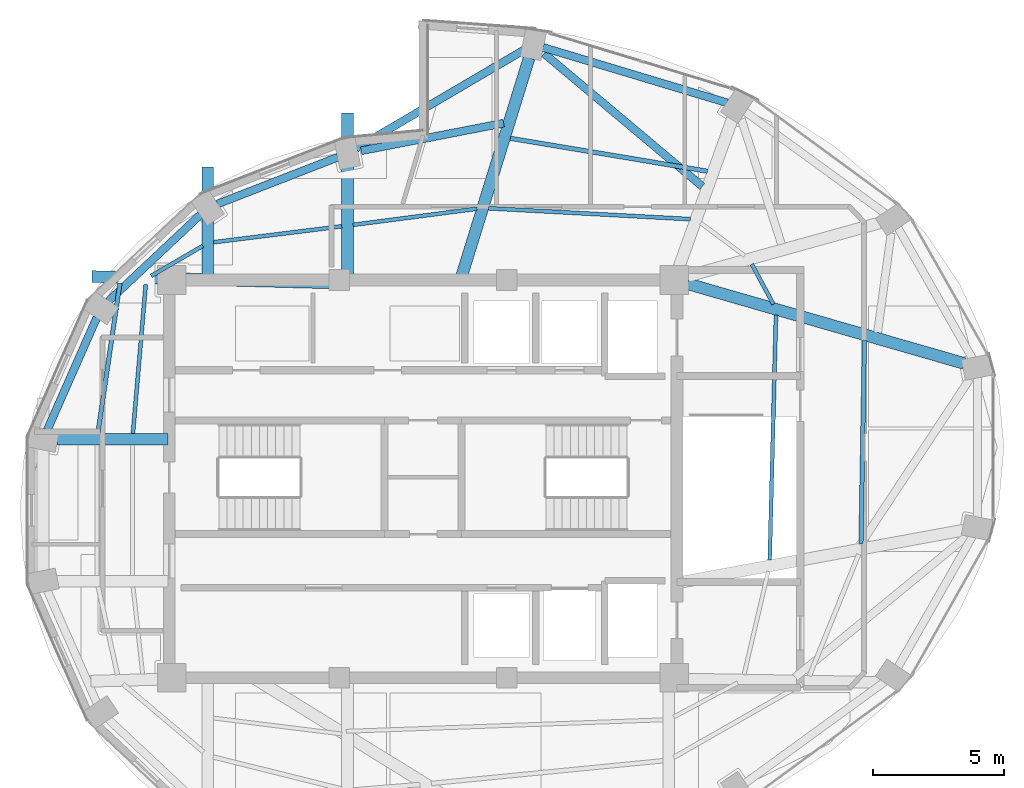
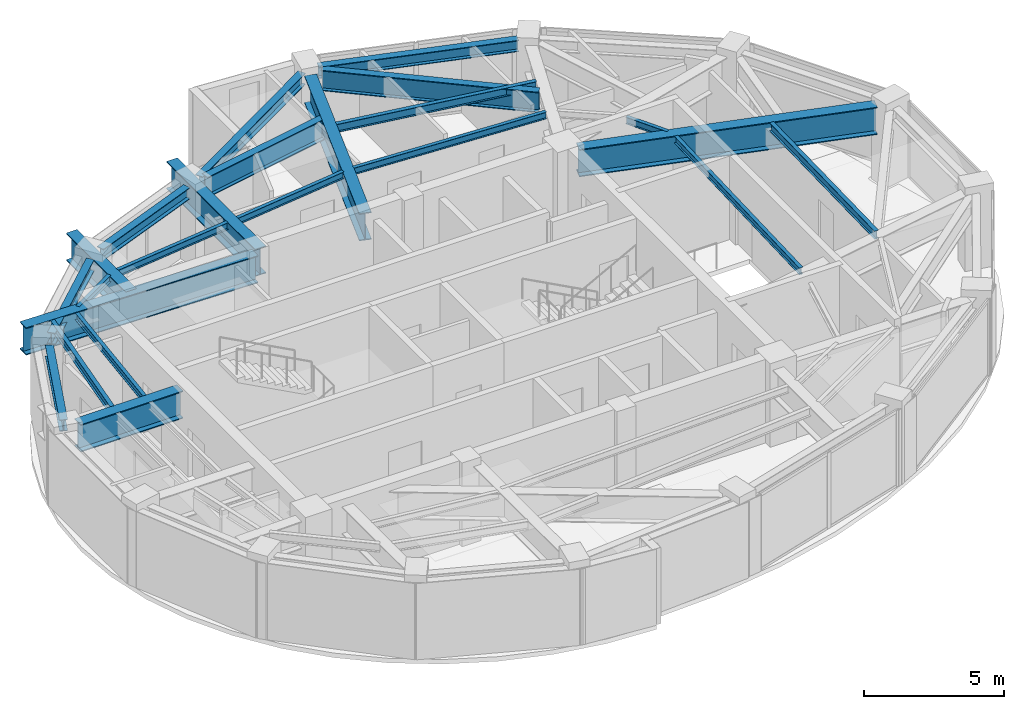
# One storey, part 4 of 13: 23 beams.
"""IFC4 building model written with IfcOpenShell, lengths in metres."""

from ifc_helpers import new_model, si_unit, direction, frame, origin, origin_2d, place, context, subcontext, project, spatial, i_section, extrude, material, material_profile, profile_set, type_object, element, save


model = new_model("IFC4")

# Units and contexts
model_context = context("Model", 3, precision=1e-05, world=origin(), true_north=direction((0.0, 1.0)))
body_context = subcontext(model_context, "Body", "Model", "MODEL_VIEW")
ifc_project = project(units=[si_unit("LENGTHUNIT", "METRE"), si_unit("AREAUNIT", "SQUARE_METRE"), si_unit("VOLUMEUNIT", "CUBIC_METRE"), si_unit("PLANEANGLEUNIT", "RADIAN"), si_unit("MASSUNIT", "GRAM", prefix="KILO")], contexts=[model_context])

# Site, building, storey
site_placement = place(None, origin())
site = spatial("IfcSite", under=ifc_project, at=site_placement, CompositionType="ELEMENT")
building_placement = place(site_placement, origin())
building = spatial("IfcBuilding", under=site, at=building_placement, Name="Lazwardi Medical Tower", CompositionType="ELEMENT")
storey_placement = place(building_placement, frame((0.0, 0.0, 298.800048828125)))
storey = spatial("IfcBuildingStorey", under=building, at=storey_placement, Name="L78", CompositionType="ELEMENT", Elevation=298.800048828125)

# Beams
ifc_material_1 = material(Name="Steel S460", Category="steel")
ifc_material_profile_1 = material_profile(ifc_material_1, i_section(OverallWidth=0.300048828125, OverallDepth=0.89990234375, WebThickness=0.0185546875, FlangeThickness=0.034912109375, at=origin_2d()), Name="HEB 900")
ifc_profile_set_1 = profile_set([ifc_material_profile_1], Name="Steel S460")
beam_type_1 = type_object("IfcBeamType", Name="BM-HB-01", PredefinedType="BEAM", material=ifc_profile_set_1)
beam_1_placement = place(storey_placement, frame((46.67041015625, 39.17578125, 2.8779296875), z_axis=(-0.76575480751, 0.643132626116, 0.0), x_axis=(-0.643132626116, -0.76575480751, 0.0)))
element("IfcBeam", 1, at=beam_1_placement, inside=storey, type_object=beam_type_1, Name="Transfer girder tie HB-01 M07 L78", PredefinedType="BEAM", context=body_context, shape_type="SweptSolid", body=[
    extrude(i_section(OverallWidth=0.300048828125, OverallDepth=0.89990234375, WebThickness=0.0185546875, FlangeThickness=0.034912109375, at=origin_2d()), origin(), (0.0, 0.0, 1.0), 7.896240234375),
])
beam_2_placement = place(storey_placement, frame((39.0810546875, 41.591064453125, 2.8779296875), z_axis=(-0.981690707448, -0.190481901791, 0.0), x_axis=(0.190481901791, -0.981690707448, 0.0)))
element("IfcBeam", 2, at=beam_2_placement, inside=storey, type_object=beam_type_1, Name="Transfer girder tie HB-01 M08 L78", PredefinedType="BEAM", context=body_context, shape_type="SweptSolid", body=[
    extrude(i_section(OverallWidth=0.300048828125, OverallDepth=0.89990234375, WebThickness=0.0185546875, FlangeThickness=0.034912109375, at=origin_2d()), origin(), (0.0, 0.0, 1.0), 5.544677734375),
])
ifc_material_2 = material(Name="Steel S355", Category="steel")
ifc_material_profile_2 = material_profile(ifc_material_2, i_section(OverallWidth=0.300048828125, OverallDepth=0.5, WebThickness=0.014404296875, FlangeThickness=0.028076171875, at=origin_2d()), Name="HEB 500")
ifc_profile_set_2 = profile_set([ifc_material_profile_2], Name="Steel S355")
beam_type_2 = type_object("IfcBeamType", Name="BM-RB-Z4", PredefinedType="BEAM", material=ifc_profile_set_2)
beam_3_placement = place(storey_placement, frame((47.626953125, 42.366455078125, 3.077880859375), z_axis=(-0.957544311906, 0.288286126506, 0.0), x_axis=(-0.288286126506, -0.957544311906, 0.0)))
element("IfcBeam", 3, at=beam_3_placement, inside=storey, type_object=beam_type_2, Name="Ring beam RB-05 B07 L78", PredefinedType="BEAM", context=body_context, shape_type="SweptSolid", body=[
    extrude(i_section(OverallWidth=0.300048828125, OverallDepth=0.5, WebThickness=0.014404296875, FlangeThickness=0.028076171875, at=origin_2d()), origin(), (0.0, 0.0, 1.0), 7.3515625),
])
beam_4_placement = place(storey_placement, frame((39.877685546875, 44.40087890625, 3.077880859375), z_axis=(-0.862560933033, -0.505953196259, 0.0), x_axis=(0.505953196259, -0.862560933033, 0.0)))
element("IfcBeam", 4, at=beam_4_placement, inside=storey, type_object=beam_type_2, Name="Ring beam RB-05 B08 L78", PredefinedType="BEAM", context=body_context, shape_type="SweptSolid", body=[
    extrude(i_section(OverallWidth=0.300048828125, OverallDepth=0.5, WebThickness=0.014404296875, FlangeThickness=0.028076171875, at=origin_2d()), origin(), (0.0, 0.0, 1.0), 7.452880859375),
])
beam_5_placement = place(storey_placement, frame((32.749267578125, 40.29150390625, 3.077880859375), z_axis=(-0.931959260109, -0.362563011761, 0.0), x_axis=(0.362563011761, -0.931959260109, 0.0)))
element("IfcBeam", 5, at=beam_5_placement, inside=storey, type_object=beam_type_2, Name="Ring beam RB-05 B09 L78", PredefinedType="BEAM", context=body_context, shape_type="SweptSolid", body=[
    extrude(i_section(OverallWidth=0.300048828125, OverallDepth=0.5, WebThickness=0.014404296875, FlangeThickness=0.028076171875, at=origin_2d()), origin(), (0.0, 0.0, 1.0), 4.944580078125),
])
beam_6_placement = place(storey_placement, frame((27.493408203125, 38.09033203125, 3.077880859375), z_axis=(-0.728935349177, -0.684582541934, 0.0), x_axis=(0.684582541934, -0.728935349177, 0.0)))
element("IfcBeam", 6, at=beam_6_placement, inside=storey, type_object=beam_type_2, Name="Ring beam RB-05 B10 L78", PredefinedType="BEAM", context=body_context, shape_type="SweptSolid", body=[
    extrude(i_section(OverallWidth=0.300048828125, OverallDepth=0.5, WebThickness=0.014404296875, FlangeThickness=0.028076171875, at=origin_2d()), origin(), (0.0, 0.0, 1.0), 4.822021484375),
])
beam_7_placement = place(storey_placement, frame((23.536865234375, 34.16552734375, 3.077880859375), z_axis=(-0.403522451548, -0.914969743268, 0.0), x_axis=(0.914969743268, -0.403522451548, 0.0)))
element("IfcBeam", 7, at=beam_7_placement, inside=storey, type_object=beam_type_2, Name="Ring beam RB-05 B11 L78", PredefinedType="BEAM", context=body_context, shape_type="SweptSolid", body=[
    extrude(i_section(OverallWidth=0.300048828125, OverallDepth=0.5, WebThickness=0.014404296875, FlangeThickness=0.028076171875, at=origin_2d()), origin(), (0.0, 0.0, 1.0), 4.6962890625),
])
ifc_material_profile_3 = material_profile(ifc_material_2, i_section(OverallWidth=0.169921875, OverallDepth=0.360107421875, WebThickness=0.008056640625, FlangeThickness=0.0126953125, at=origin_2d()), Name="IPE 360")
ifc_profile_set_3 = profile_set([ifc_material_profile_3], Name="Steel S355")
beam_type_3 = type_object("IfcBeamType", Name="BM-SJ-02", PredefinedType="JOIST", material=ifc_profile_set_3)
beam_8_placement = place(storey_placement, frame((52.7353515625, 25.537109375, 3.14794921875), z_axis=(0.016948319903, 0.999856366911, 0.0), x_axis=(-0.999856366911, 0.016948319903, 0.0)))
element("IfcBeam", 8, at=beam_8_placement, inside=storey, type_object=beam_type_3, Name="Secondary joist SJ-02 R1 B04 L78", PredefinedType="JOIST", context=body_context, shape_type="SweptSolid", body=[
    extrude(i_section(OverallWidth=0.169921875, OverallDepth=0.360107421875, WebThickness=0.008056640625, FlangeThickness=0.0126953125, at=origin_2d()), origin(), (0.0, 0.0, 1.0), 7.75),
])
beam_9_placement = place(storey_placement, frame((46.868408203125, 39.75390625, 3.14794921875), z_axis=(-0.986315212054, 0.164870562777, 0.0), x_axis=(-0.164870562777, -0.986315212054, 0.0)))
element("IfcBeam", 9, at=beam_9_placement, inside=storey, type_object=beam_type_3, Name="Secondary joist SJ-02 R1 B07 L78", PredefinedType="JOIST", context=body_context, shape_type="SweptSolid", body=[
    extrude(i_section(OverallWidth=0.169921875, OverallDepth=0.360107421875, WebThickness=0.008056640625, FlangeThickness=0.0126953125, at=origin_2d()), origin(), (0.0, 0.0, 1.0), 7.639404296875),
])
beam_10_placement = place(storey_placement, frame((24.416015625, 35.465576171875, 3.14794921875), z_axis=(-0.145158160255, -0.989408463938, 0.0), x_axis=(0.989408463938, -0.145158160255, 0.0)))
element("IfcBeam", 10, at=beam_10_placement, inside=storey, type_object=beam_type_3, Name="Secondary joist SJ-02 R1 B11 L78", PredefinedType="JOIST", context=body_context, shape_type="SweptSolid", body=[
    extrude(i_section(OverallWidth=0.169921875, OverallDepth=0.360107421875, WebThickness=0.008056640625, FlangeThickness=0.0126953125, at=origin_2d()), origin(), (0.0, 0.0, 1.0), 5.797607421875),
])
ifc_material_profile_4 = material_profile(ifc_material_2, i_section(OverallWidth=0.14990234375, OverallDepth=0.300048828125, WebThickness=0.007080078125, FlangeThickness=0.0107421875, at=origin_2d()), Name="IPE 300")
ifc_profile_set_4 = profile_set([ifc_material_profile_4], Name="Steel S355")
beam_type_4 = type_object("IfcBeamType", Name="BM-SJ-03", PredefinedType="JOIST", material=ifc_profile_set_4)
beam_11_placement = place(storey_placement, frame((49.24658203125, 24.89404296875, 3.177978515625), z_axis=(0.025618576828, 0.9996717904, 0.0), x_axis=(-0.9996717904, 0.025618576828, 0.0)))
element("IfcBeam", 11, at=beam_11_placement, inside=storey, type_object=beam_type_4, Name="Secondary joist SJ-03 R2 B04 L78", PredefinedType="JOIST", context=body_context, shape_type="SweptSolid", body=[
    extrude(i_section(OverallWidth=0.14990234375, OverallDepth=0.300048828125, WebThickness=0.007080078125, FlangeThickness=0.0107421875, at=origin_2d()), origin(), (0.0, 0.0, 1.0), 9.367919921875),
])
beam_12_placement = place(storey_placement, frame((49.387939453125, 34.672607421875, 3.177978515625), z_axis=(-0.47412498467, 0.880457550886, 0.0), x_axis=(-0.880457550886, -0.47412498467, 0.0)))
element("IfcBeam", 12, at=beam_12_placement, inside=storey, type_object=beam_type_4, Name="Secondary joist SJ-03 R2 B05 L78", PredefinedType="JOIST", context=body_context, shape_type="SweptSolid", body=[
    extrude(i_section(OverallWidth=0.14990234375, OverallDepth=0.300048828125, WebThickness=0.007080078125, FlangeThickness=0.0107421875, at=origin_2d()), origin(), (0.0, 0.0, 1.0), 1.73583984375),
])
beam_13_placement = place(storey_placement, frame((46.2138671875, 37.92236328125, 3.177978515625), z_axis=(-0.998550044455, 0.053831298693, 0.0), x_axis=(-0.053831298693, -0.998550044455, 0.0)))
element("IfcBeam", 13, at=beam_13_placement, inside=storey, type_object=beam_type_4, Name="Secondary joist SJ-03 R2 B07 L78", PredefinedType="JOIST", context=body_context, shape_type="SweptSolid", body=[
    extrude(i_section(OverallWidth=0.14990234375, OverallDepth=0.300048828125, WebThickness=0.007080078125, FlangeThickness=0.0107421875, at=origin_2d()), origin(), (0.0, 0.0, 1.0), 7.7236328125),
])
beam_14_placement = place(storey_placement, frame((38.063720703125, 38.321533203125, 3.177978515625), z_axis=(-0.991617516296, -0.129207977209, 0.0), x_axis=(0.129207977209, -0.991617516296, 0.0)))
element("IfcBeam", 14, at=beam_14_placement, inside=storey, type_object=beam_type_4, Name="Secondary joist SJ-03 R2 B08 L78", PredefinedType="JOIST", context=body_context, shape_type="SweptSolid", body=[
    extrude(i_section(OverallWidth=0.14990234375, OverallDepth=0.300048828125, WebThickness=0.007080078125, FlangeThickness=0.0107421875, at=origin_2d()), origin(), (0.0, 0.0, 1.0), 4.77294921875),
])
beam_15_placement = place(storey_placement, frame((32.894287109375, 37.6494140625, 3.177978515625), z_axis=(-0.992338629419, -0.12354774204, 0.0), x_axis=(0.12354774204, -0.992338629419, 0.0)))
element("IfcBeam", 15, at=beam_15_placement, inside=storey, type_object=beam_type_4, Name="Secondary joist SJ-03 R2 B09 L78", PredefinedType="JOIST", context=body_context, shape_type="SweptSolid", body=[
    extrude(i_section(OverallWidth=0.14990234375, OverallDepth=0.300048828125, WebThickness=0.007080078125, FlangeThickness=0.0107421875, at=origin_2d()), origin(), (0.0, 0.0, 1.0), 4.936279296875),
])
beam_16_placement = place(storey_placement, frame((27.58740234375, 36.901611328125, 3.177978515625), z_axis=(-0.864108291874, -0.503305930736, 0.0), x_axis=(0.503305930736, -0.864108291874, 0.0)))
element("IfcBeam", 16, at=beam_16_placement, inside=storey, type_object=beam_type_4, Name="Secondary joist SJ-03 R2 B10 L78", PredefinedType="JOIST", context=body_context, shape_type="SweptSolid", body=[
    extrude(i_section(OverallWidth=0.14990234375, OverallDepth=0.300048828125, WebThickness=0.007080078125, FlangeThickness=0.0107421875, at=origin_2d()), origin(), (0.0, 0.0, 1.0), 2.28369140625),
])
beam_17_placement = place(storey_placement, frame((25.405029296875, 35.42236328125, 3.177978515625), z_axis=(-0.085775701239, -0.996314472984, 0.0), x_axis=(0.996314472984, -0.085775701239, 0.0)))
element("IfcBeam", 17, at=beam_17_placement, inside=storey, type_object=beam_type_4, Name="Secondary joist SJ-03 R2 B11 L78", PredefinedType="JOIST", context=body_context, shape_type="SweptSolid", body=[
    extrude(i_section(OverallWidth=0.14990234375, OverallDepth=0.300048828125, WebThickness=0.007080078125, FlangeThickness=0.0107421875, at=origin_2d()), origin(), (0.0, 0.0, 1.0), 5.71240234375),
])
ifc_material_profile_5 = material_profile(ifc_material_1, i_section(OverallWidth=0.449951171875, OverallDepth=1.199951171875, WebThickness=0.02490234375, FlangeThickness=0.0400390625, at=origin_2d()), Name="PG 1200x450")
ifc_profile_set_5 = profile_set([ifc_material_profile_5], Name="Steel S460")
beam_type_5 = type_object("IfcBeamType", Name="BM-TG-02", PredefinedType="BEAM", material=ifc_profile_set_5)
beam_18_placement = place(storey_placement, frame((56.6708984375, 32.410888671875, 2.72802734375), z_axis=(-0.960926292206, 0.276804373065, 0.0), x_axis=(-0.276804373065, -0.960926292206, 0.0)))
element("IfcBeam", 18, at=beam_18_placement, inside=storey, type_object=beam_type_5, Name="Transfer girder TG-02 M05 L78", PredefinedType="BEAM", context=body_context, shape_type="SweptSolid", body=[
    extrude(i_section(OverallWidth=0.449951171875, OverallDepth=1.199951171875, WebThickness=0.02490234375, FlangeThickness=0.0400390625, at=origin_2d()), origin(), (0.0, 0.0, 1.0), 10.986083984375),
])
beam_19_placement = place(storey_placement, frame((40.055908203125, 44.087158203125, 2.72802734375), z_axis=(-0.295410416074, -0.955370444422, 0.0), x_axis=(0.955370444422, -0.295410416074, 0.0)))
element("IfcBeam", 19, at=beam_19_placement, inside=storey, type_object=beam_type_5, Name="Transfer girder TG-02 M08 L78", PredefinedType="BEAM", context=body_context, shape_type="SweptSolid", body=[
    extrude(i_section(OverallWidth=0.449951171875, OverallDepth=1.199951171875, WebThickness=0.02490234375, FlangeThickness=0.0400390625, at=origin_2d()), origin(), (0.0, 0.0, 1.0), 8.831298828125),
])
beam_20_placement = place(storey_placement, frame((33.11279296875, 41.98291015625, 2.72802734375), z_axis=(0.0, -1.0, 0.0), x_axis=(1.0, 0.0, 0.0)))
element("IfcBeam", 20, at=beam_20_placement, inside=storey, type_object=beam_type_5, Name="Transfer girder TG-02 M09 L78", PredefinedType="BEAM", context=body_context, shape_type="SweptSolid", body=[
    extrude(i_section(OverallWidth=0.449951171875, OverallDepth=1.199951171875, WebThickness=0.02490234375, FlangeThickness=0.0400390625, at=origin_2d()), origin(), (0.0, 0.0, 1.0), 6.3330078125),
])
beam_21_placement = place(storey_placement, frame((27.777587890625, 39.907470703125, 2.72802734375), z_axis=(0.0, -1.0, 0.0), x_axis=(1.0, 0.0, 0.0)))
element("IfcBeam", 21, at=beam_21_placement, inside=storey, type_object=beam_type_5, Name="Transfer girder TG-02 M10 L78", PredefinedType="BEAM", context=body_context, shape_type="SweptSolid", body=[
    extrude(i_section(OverallWidth=0.449951171875, OverallDepth=1.199951171875, WebThickness=0.02490234375, FlangeThickness=0.0400390625, at=origin_2d()), origin(), (0.0, 0.0, 1.0), 4.257568359375),
])
beam_22_placement = place(storey_placement, frame((23.35009765625, 35.72998046875, 2.72802734375), z_axis=(0.999650245749, -0.026445910343, 0.0), x_axis=(0.026445910343, 0.999650245749, 0.0)))
element("IfcBeam", 22, at=beam_22_placement, inside=storey, type_object=beam_type_5, Name="Transfer girder TG-02 M11 L78", PredefinedType="BEAM", context=body_context, shape_type="SweptSolid", body=[
    extrude(i_section(OverallWidth=0.449951171875, OverallDepth=1.199951171875, WebThickness=0.02490234375, FlangeThickness=0.0400390625, at=origin_2d()), origin(), (0.0, 0.0, 1.0), 9.453369140625),
])
beam_23_placement = place(storey_placement, frame((22.019287109375, 29.51171875, 2.72802734375), z_axis=(1.0, 0.0, 0.0), x_axis=(0.0, 1.0, 0.0)))
element("IfcBeam", 23, at=beam_23_placement, inside=storey, type_object=beam_type_5, Name="Transfer girder TG-02 M12 L78", PredefinedType="BEAM", context=body_context, shape_type="SweptSolid", body=[
    extrude(i_section(OverallWidth=0.449951171875, OverallDepth=1.199951171875, WebThickness=0.02490234375, FlangeThickness=0.0400390625, at=origin_2d()), origin(), (0.0, 0.0, 1.0), 4.230712890625),
])

save(model, "model.ifc")
